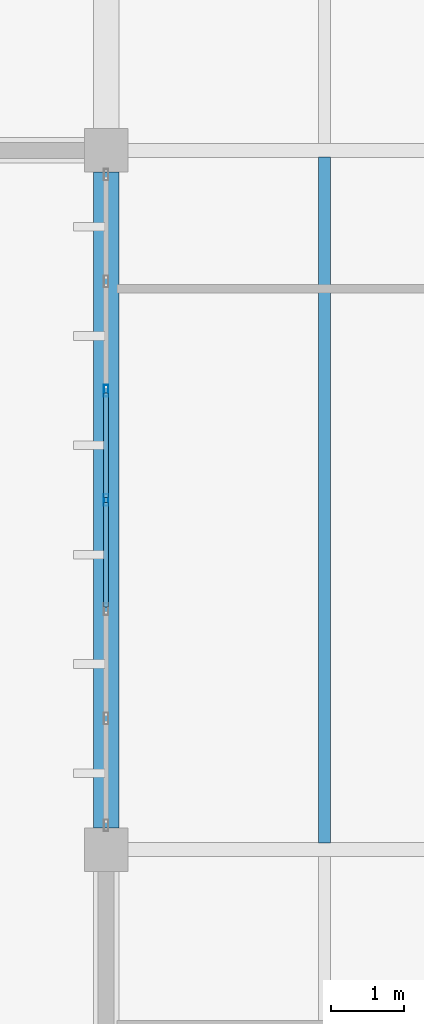
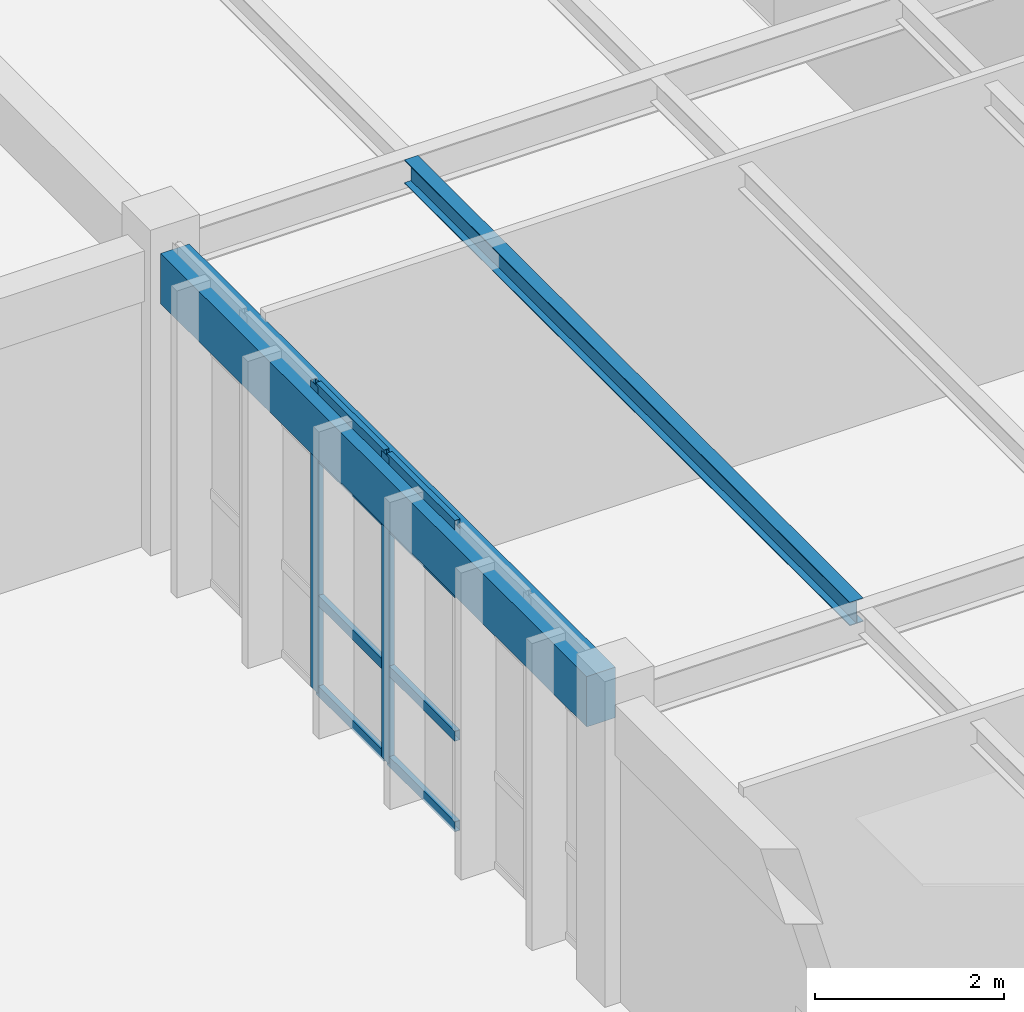
# One storey, part 3 of 28: 10 members, 2 beams, 1 element without a shape of its own.
"""IFC4 building model written with IfcOpenShell, lengths in metres."""

from ifc_helpers import new_model, si_unit, direction, frame, origin, origin_2d, place, context, subcontext, project, spatial, rectangle, hollow_rectangle, i_section, extrude, material, layer, layer_set, material_profile, profile_set, type_object, element, aggregate, save


model = new_model("IFC4")

# Units and contexts
model_context = context("Model", 3, precision=1e-05, world=origin(), true_north=direction((0.0, 1.0)))
body_context = subcontext(model_context, "Body", "Model", "MODEL_VIEW")
ifc_project = project(units=[si_unit("LENGTHUNIT", "METRE"), si_unit("AREAUNIT", "SQUARE_METRE"), si_unit("VOLUMEUNIT", "CUBIC_METRE"), si_unit("PLANEANGLEUNIT", "RADIAN"), si_unit("MASSUNIT", "GRAM", prefix="KILO")], contexts=[model_context])

# Site, building, storey
site_placement = place(None, origin())
site = spatial("IfcSite", under=ifc_project, at=site_placement, CompositionType="ELEMENT")
building_placement = place(site_placement, origin())
building = spatial("IfcBuilding", under=site, at=building_placement, Name="Pandanus Reach Market Hall", CompositionType="ELEMENT")
storey_placement = place(building_placement, frame((0.0, 0.0, 18.60009765625)))
storey = spatial("IfcBuildingStorey", under=building, at=storey_placement, Name="L04", CompositionType="ELEMENT", Elevation=18.60009765625)

# Beam
ifc_material_1 = material(Name="Concrete N40 (40 MPa)", Category="concrete")
ifc_material_profile_1 = material_profile(ifc_material_1, rectangle(XDim=0.35009765625, YDim=0.64990234375, at=origin_2d()), Name="RC350x650", Category="LoadBearing")
ifc_profile_set_1 = profile_set([ifc_material_profile_1], Name="Concrete N40 (40 MPa)")
beam_type_1 = type_object("IfcBeamType", Name="BM-RC350-E", PredefinedType="SPANDREL", material=ifc_profile_set_1)
beam_1_placement = place(storey_placement, frame((156.0, 38.697998046875, 3.534912109375), z_axis=(0.0, 1.0, 0.0), x_axis=(-1.0, 0.0, 0.0)))
element("IfcBeam", 1, at=beam_1_placement, inside=storey, type_object=beam_type_1, Name="Framing beam BM-RC350-E L04.623", PredefinedType="SPANDREL", context=body_context, shape_type="SweptSolid", body=[
    extrude(rectangle(XDim=0.35009765625, YDim=0.64990234375, at=origin_2d()), origin(), (0.0, 0.0, 1.0), 9.00390625),
])

# Curtain wall, members
ifc_material_2 = material(Name="Bronze anodised aluminium and low-E glass", Category="aluminium")
ifc_layer = layer(ifc_material_2, 0.159912109375, Name="CW-37")
ifc_layer_set = layer_set([ifc_layer], Name="Bronze anodised aluminium and low-E glass")
curtain_wall_type = type_object("IfcCurtainWallType", Name="CW-37", PredefinedType="NOTDEFINED", material=ifc_layer_set)
curtain_wall_placement = place(storey_placement, origin())
curtain_wall = element("IfcCurtainWall", 2, at=curtain_wall_placement, inside=storey, type_object=curtain_wall_type, Name="Glazed curtain wall CW-37 CW-0133", PredefinedType="NOTDEFINED")
ifc_material_3 = material(Name="Bronze anodised aluminium", Category="aluminium")
ifc_material_profile_2 = material_profile(ifc_material_3, hollow_rectangle(XDim=0.06494140625, YDim=0.159912109375, WallThickness=0.00390625, at=origin_2d()), Name="ALU65x160", Category="LoadBearing")
ifc_profile_set_2 = profile_set([ifc_material_profile_2], Name="Bronze anodised aluminium")
member_type_1 = type_object("IfcMemberType", Name="CW-M1", PredefinedType="MULLION", material=ifc_profile_set_2)
member_1_placement = place(storey_placement, frame((156.0, 43.199951171875, 0.0), z_axis=(0.0, 0.0, 1.0), x_axis=(-1.0, 0.0, 0.0)))
member_1 = element("IfcMember", 3, at=member_1_placement, type_object=member_type_1, Name="CW-37 mullion 4", PredefinedType="MULLION", context=body_context, shape_type="SweptSolid", body=[
    extrude(hollow_rectangle(XDim=0.06494140625, YDim=0.159912109375, WallThickness=0.00390625, at=origin_2d()), origin(), (0.0, 0.0, 1.0), 3.949951171875),
])
member_2_placement = place(storey_placement, frame((156.0, 44.699951171875, 0.0), z_axis=(0.0, 0.0, 1.0), x_axis=(-1.0, 0.0, 0.0)))
member_2 = element("IfcMember", 4, at=member_2_placement, type_object=member_type_1, Name="CW-37 mullion 5", PredefinedType="MULLION", context=body_context, shape_type="SweptSolid", body=[
    extrude(hollow_rectangle(XDim=0.06494140625, YDim=0.159912109375, WallThickness=0.00390625, at=origin_2d()), origin(), (0.0, 0.0, 1.0), 3.949951171875),
])
ifc_material_profile_3 = material_profile(ifc_material_3, hollow_rectangle(XDim=0.06494140625, YDim=0.1298828125, WallThickness=0.00390625, at=origin_2d()), Name="ALU65x130", Category="LoadBearing")
ifc_profile_set_3 = profile_set([ifc_material_profile_3], Name="Bronze anodised aluminium")
member_type_2 = type_object("IfcMemberType", Name="CW-T1", PredefinedType="USERDEFINED", material=ifc_profile_set_3)
member_3_placement = place(storey_placement, frame((156.0, 41.732421875, 0.032470703125), z_axis=(0.0, 1.0, 0.0), x_axis=(-1.0, 0.0, 0.0)))
member_3 = element("IfcMember", 5, at=member_3_placement, type_object=member_type_2, Name="CW-37 transom 3.1", ObjectType="TRANSOM", PredefinedType="USERDEFINED", context=body_context, shape_type="SweptSolid", body=[
    extrude(hollow_rectangle(XDim=0.06494140625, YDim=0.1298828125, WallThickness=0.00390625, at=origin_2d()), origin(), (0.0, 0.0, 1.0), 1.43505859375),
])
member_4_placement = place(storey_placement, frame((156.0, 41.732421875, 1.199951171875), z_axis=(0.0, 1.0, 0.0), x_axis=(-1.0, 0.0, 0.0)))
member_4 = element("IfcMember", 6, at=member_4_placement, type_object=member_type_2, Name="CW-37 transom 3.2", ObjectType="TRANSOM", PredefinedType="USERDEFINED", context=body_context, shape_type="SweptSolid", body=[
    extrude(hollow_rectangle(XDim=0.06494140625, YDim=0.1298828125, WallThickness=0.00390625, at=origin_2d()), origin(), (0.0, 0.0, 1.0), 1.43505859375),
])
member_5_placement = place(storey_placement, frame((156.0, 41.732421875, 3.0498046875), z_axis=(0.0, 1.0, 0.0), x_axis=(-1.0, 0.0, 0.0)))
member_5 = element("IfcMember", 7, at=member_5_placement, type_object=member_type_2, Name="CW-37 transom 3.3", ObjectType="TRANSOM", PredefinedType="USERDEFINED", context=body_context, shape_type="SweptSolid", body=[
    extrude(hollow_rectangle(XDim=0.06494140625, YDim=0.1298828125, WallThickness=0.00390625, at=origin_2d()), origin(), (0.0, 0.0, 1.0), 1.43505859375),
])
member_6_placement = place(storey_placement, frame((156.0, 41.732421875, 3.91748046875), z_axis=(0.0, 1.0, 0.0), x_axis=(-1.0, 0.0, 0.0)))
member_6 = element("IfcMember", 8, at=member_6_placement, type_object=member_type_2, Name="CW-37 transom 3.4", ObjectType="TRANSOM", PredefinedType="USERDEFINED", context=body_context, shape_type="SweptSolid", body=[
    extrude(hollow_rectangle(XDim=0.06494140625, YDim=0.1298828125, WallThickness=0.00390625, at=origin_2d()), origin(), (0.0, 0.0, 1.0), 1.43505859375),
])
member_7_placement = place(storey_placement, frame((156.0, 43.232421875, 0.032470703125), z_axis=(0.0, 1.0, 0.0), x_axis=(-1.0, 0.0, 0.0)))
member_7 = element("IfcMember", 9, at=member_7_placement, type_object=member_type_2, Name="CW-37 transom 4.1", ObjectType="TRANSOM", PredefinedType="USERDEFINED", context=body_context, shape_type="SweptSolid", body=[
    extrude(hollow_rectangle(XDim=0.06494140625, YDim=0.1298828125, WallThickness=0.00390625, at=origin_2d()), origin(), (0.0, 0.0, 1.0), 1.43505859375),
])
member_8_placement = place(storey_placement, frame((156.0, 43.232421875, 1.199951171875), z_axis=(0.0, 1.0, 0.0), x_axis=(-1.0, 0.0, 0.0)))
member_8 = element("IfcMember", 10, at=member_8_placement, type_object=member_type_2, Name="CW-37 transom 4.2", ObjectType="TRANSOM", PredefinedType="USERDEFINED", context=body_context, shape_type="SweptSolid", body=[
    extrude(hollow_rectangle(XDim=0.06494140625, YDim=0.1298828125, WallThickness=0.00390625, at=origin_2d()), origin(), (0.0, 0.0, 1.0), 1.43505859375),
])
member_9_placement = place(storey_placement, frame((156.0, 43.232421875, 3.0498046875), z_axis=(0.0, 1.0, 0.0), x_axis=(-1.0, 0.0, 0.0)))
member_9 = element("IfcMember", 11, at=member_9_placement, type_object=member_type_2, Name="CW-37 transom 4.3", ObjectType="TRANSOM", PredefinedType="USERDEFINED", context=body_context, shape_type="SweptSolid", body=[
    extrude(hollow_rectangle(XDim=0.06494140625, YDim=0.1298828125, WallThickness=0.00390625, at=origin_2d()), origin(), (0.0, 0.0, 1.0), 1.43505859375),
])
member_10_placement = place(storey_placement, frame((156.0, 43.232421875, 3.91748046875), z_axis=(0.0, 1.0, 0.0), x_axis=(-1.0, 0.0, 0.0)))
member_10 = element("IfcMember", 12, at=member_10_placement, type_object=member_type_2, Name="CW-37 transom 4.4", ObjectType="TRANSOM", PredefinedType="USERDEFINED", context=body_context, shape_type="SweptSolid", body=[
    extrude(hollow_rectangle(XDim=0.06494140625, YDim=0.1298828125, WallThickness=0.00390625, at=origin_2d()), origin(), (0.0, 0.0, 1.0), 1.43505859375),
])
aggregate(curtain_wall, [member_1, member_2, member_3, member_4, member_5, member_6, member_7, member_8, member_9, member_10])

# Beam
ifc_material_4 = material(Name="Steel Grade 350 (350 MPa)", Category="steel")
ifc_material_profile_4 = material_profile(ifc_material_4, i_section(OverallWidth=0.1650390625, OverallDepth=0.303955078125, WebThickness=0.006103515625, FlangeThickness=0.01025390625, at=origin_2d()), Name="310UB40.4", Category="LoadBearing")
ifc_profile_set_4 = profile_set([ifc_material_profile_4], Name="Steel Grade 350 (350 MPa)")
beam_type_2 = type_object("IfcBeamType", Name="JS-UB310-I", PredefinedType="JOIST", material=ifc_profile_set_4)
beam_2_placement = place(storey_placement, frame((159.0, 38.492919921875, 3.70751953125), z_axis=(0.0, 1.0, 0.0), x_axis=(-1.0, 0.0, 0.0)))
element("IfcBeam", 13, at=beam_2_placement, inside=storey, type_object=beam_type_2, Name="Secondary joist JS-UB310-I L04.640", PredefinedType="JOIST", context=body_context, shape_type="SweptSolid", body=[
    extrude(i_section(OverallWidth=0.1650390625, OverallDepth=0.303955078125, WebThickness=0.006103515625, FlangeThickness=0.01025390625, at=origin_2d()), origin(), (0.0, 0.0, 1.0), 9.4140625),
])

save(model, "model.ifc")
